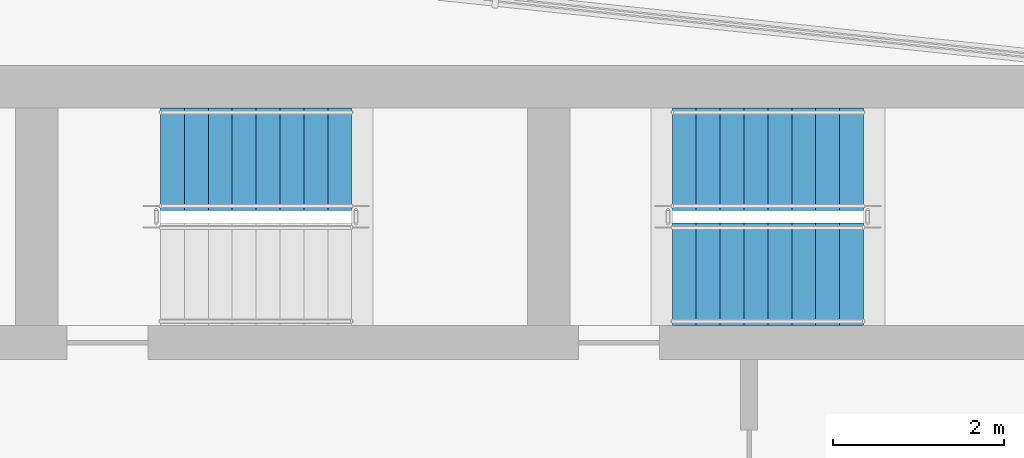
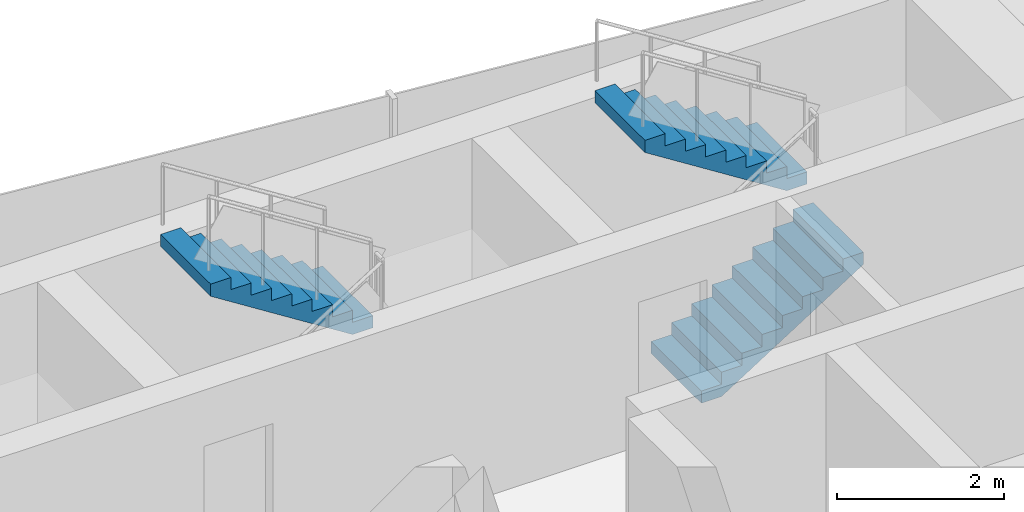
# One storey, part 13 of 17: 3 stair flights, 2 elements without a shape of their own.
"""IFC4 building model written with IfcOpenShell, lengths in metres."""

import ifcopenshell
import ifcopenshell.guid

model = None  # the IFC model being written
_history = None  # IfcOwnerHistory: only IFC2X3 demands one
_inside = {}  # id of a spatial element -> (the spatial element, [elements in it])
_under = {}  # id of a project, library or spatial element -> (it, [spatial elements below it])
_declared = {}  # id of a project -> (the project, [libraries it declares])
_typed = {}  # id of a type object -> (the type object, [elements of that type])
_made_of = {}  # id of a material, layer set ... -> (it, [elements and type objects made of it])


def new_model(schema):
    """Start an empty IFC model of exactly this schema.

    Asked for "IFC4X3", IfcOpenShell would pick the latest addendum, in which some entities
    have other attributes; the version numbers below select the first issue.
    IFC2X3 requires an IfcOwnerHistory on every rooted entity: one is made here for all.
    """
    global model, _history
    if schema == "IFC4X3":
        model = ifcopenshell.file(schema_version=(4, 3, 0, 0))
    else:
        model = ifcopenshell.file(schema=schema)
    _inside.clear()
    _under.clear()
    _declared.clear()
    _typed.clear()
    _made_of.clear()
    _history = None
    if model.schema == "IFC2X3":
        org = make("IfcOrganization", Name="unknown")
        user = make(
            "IfcPersonAndOrganization",
            ThePerson=make("IfcPerson", FamilyName="unknown"),
            TheOrganization=org,
        )
        app = make(
            "IfcApplication",
            ApplicationDeveloper=org,
            Version="unknown",
            ApplicationFullName="unknown",
            ApplicationIdentifier="unknown",
        )
        _history = make(
            "IfcOwnerHistory",
            OwningUser=user,
            OwningApplication=app,
            ChangeAction="ADDED",
            CreationDate=0,
        )
    return model


def make(cls, **values):
    """One entity of the class cls with the attributes given. An attribute that is None is left unset."""
    return model.create_entity(
        cls, **{name: value for name, value in values.items() if value is not None}
    )


def rooted(cls, **values):
    """An entity with a GlobalId (a new one), such as an element, a storey or a relation."""
    return make(cls, GlobalId=ifcopenshell.guid.new(), OwnerHistory=_history, **values)


def si_unit(unit_type, name, prefix=None):
    """IfcSIUnit, for example si_unit("LENGTHUNIT", "METRE", prefix="MILLI")."""
    return make("IfcSIUnit", UnitType=unit_type, Prefix=prefix, Name=name)


def assignment(units):
    """IfcUnitAssignment: the units of a project."""
    return None if units is None else make("IfcUnitAssignment", Units=units)


def point(xyz):
    """IfcCartesianPoint."""
    return None if xyz is None else make("IfcCartesianPoint", Coordinates=xyz)


def direction(xyz):
    """IfcDirection."""
    return None if xyz is None else make("IfcDirection", DirectionRatios=xyz)


def frame(location, z_axis=None, x_axis=None):
    """IfcAxis2Placement3D, a coordinate frame: its origin and axes. An axis left out is left unset."""
    return make(
        "IfcAxis2Placement3D",
        Location=point(location),
        Axis=direction(z_axis),
        RefDirection=direction(x_axis),
    )


def origin():
    """The frame at (0, 0, 0) with its axes left unset."""
    return frame((0.0, 0.0, 0.0))


def place(relative_to, where):
    """IfcLocalPlacement: puts the frame where relative to a parent placement (None: the world)."""
    return make(
        "IfcLocalPlacement", PlacementRelTo=relative_to, RelativePlacement=where
    )


def context(
    kind, dimensions, precision=None, world=None, true_north=None, identifier=None
):
    """IfcGeometricRepresentationContext, for example the 3D "Model" context."""
    return make(
        "IfcGeometricRepresentationContext",
        ContextIdentifier=identifier,
        ContextType=kind,
        CoordinateSpaceDimension=dimensions,
        Precision=precision,
        WorldCoordinateSystem=world,
        TrueNorth=true_north,
    )


def subcontext(parent, identifier, kind, view, scale=None):
    """IfcGeometricRepresentationSubContext, for example "Body" below "Model"."""
    return make(
        "IfcGeometricRepresentationSubContext",
        ContextIdentifier=identifier,
        ContextType=kind,
        ParentContext=parent,
        TargetScale=scale,
        TargetView=view,
    )


def project(units=None, contexts=None):
    """IfcProject with its units and contexts."""
    return rooted(
        "IfcProject",
        Name="project",
        RepresentationContexts=contexts,
        UnitsInContext=assignment(units),
    )


def spatial(cls, under=None, at=None, **own):
    """A site, building, storey or space (cls), placed at a placement, below another one or the project."""
    s = rooted(cls, ObjectPlacement=at, **own)
    if under is not None:
        _under.setdefault(under.id(), (under, []))[1].append(s)
    return s


def polyline(points):
    """IfcPolyline through the points."""
    return make("IfcPolyline", Points=[point(p) for p in points])


def outline(outer, holes=None, kind="AREA"):
    """IfcArbitraryClosedProfileDef: a profile drawn as a closed curve; with holes, ...WithVoids."""
    if holes is None:
        return make("IfcArbitraryClosedProfileDef", ProfileType=kind, OuterCurve=outer)
    return make(
        "IfcArbitraryProfileDefWithVoids",
        ProfileType=kind,
        OuterCurve=outer,
        InnerCurves=holes,
    )


def extrude(swept, where, along, depth):
    """IfcExtrudedAreaSolid: the profile swept, set in the frame where, extruded along a direction by depth."""
    return make(
        "IfcExtrudedAreaSolid",
        SweptArea=swept,
        Position=where,
        ExtrudedDirection=direction(along),
        Depth=depth,
    )


def shape(context_of_items, identifier, shape_type, items):
    """IfcShapeRepresentation: the items that make up one representation, for example the "Body"."""
    return make(
        "IfcShapeRepresentation",
        ContextOfItems=context_of_items,
        RepresentationIdentifier=identifier,
        RepresentationType=shape_type,
        Items=items,
    )


def material(Name=None, Category=None):
    """IfcMaterial."""
    return make("IfcMaterial", Name=Name, Category=Category)


def made_of(thing, what):
    """Note that an element or type object is made of a material, layer set ...; save() writes the relation."""
    if what is not None:
        _made_of.setdefault(what.id(), (what, []))[1].append(thing)
    return thing


def type_object(cls, material=None, **own):
    """A type object (cls), such as IfcWallType, which elements share."""
    return made_of(rooted(cls, **own), material)


def element(
    cls,
    number,
    at=None,
    inside=None,
    cuts=None,
    type_object=None,
    material=None,
    context=None,
    identifier="Body",
    shape_type=None,
    held_by="IfcProductDefinitionShape",
    body=None,
    shapes=None,
    **own,
):
    """One element of the class cls, such as IfcWall. Its Tag is "e" and its number.

    at: its placement. inside: the storey or other place that contains it. cuts: it is an
    opening in that element (IfcRelVoidsElement). A single representation is given by context,
    identifier, shape_type and body (its items); several are given by shapes. held_by: the class
    of the entity that holds the representations. save() writes the other relations.
    """
    e = rooted(cls, Tag="e%d" % number, ObjectPlacement=at, **own)
    if body is not None:
        shapes = [shape(context, identifier, shape_type, body)]
    if shapes is not None:
        e.Representation = make(held_by, Representations=shapes)
    if inside is not None:
        _inside.setdefault(inside.id(), (inside, []))[1].append(e)
    if cuts is not None:
        rooted(
            "IfcRelVoidsElement", RelatingBuildingElement=cuts, RelatedOpeningElement=e
        )
    if type_object is not None:
        _typed.setdefault(type_object.id(), (type_object, []))[1].append(e)
    return made_of(e, material)


def aggregate(whole, parts):
    """IfcRelAggregates: a whole, such as a stair, and the parts it consists of."""
    return rooted("IfcRelAggregates", RelatingObject=whole, RelatedObjects=parts)


def save(model, path):
    """Write the relations noted so far, then the file.

    IfcRelAggregates (storeys below a building ...), IfcRelContainedInSpatialStructure (elements
    in a storey), IfcRelDefinesByType, IfcRelAssociatesMaterial and IfcRelDeclares: one each for
    every whole, place, type object, material and project.
    """
    for whole, parts in _under.values():
        aggregate(whole, parts)
    for where, things in _inside.values():
        rooted(
            "IfcRelContainedInSpatialStructure",
            RelatedElements=things,
            RelatingStructure=where,
        )
    for kind, things in _typed.values():
        rooted("IfcRelDefinesByType", RelatedObjects=things, RelatingType=kind)
    for what, things in _made_of.values():
        rooted("IfcRelAssociatesMaterial", RelatedObjects=things, RelatingMaterial=what)
    for by, libraries in _declared.values():
        rooted("IfcRelDeclares", RelatingContext=by, RelatedDefinitions=libraries)
    model.write(path)


model = new_model("IFC4")

# Units and contexts
model_context = context("Model", 3, precision=1e-05, world=origin(), true_north=direction((0.0, 1.0)))
body_context = subcontext(model_context, "Body", "Model", "MODEL_VIEW")
ifc_project = project(units=[si_unit("LENGTHUNIT", "METRE"), si_unit("AREAUNIT", "SQUARE_METRE"), si_unit("VOLUMEUNIT", "CUBIC_METRE"), si_unit("PLANEANGLEUNIT", "RADIAN"), si_unit("MASSUNIT", "GRAM", prefix="KILO")], contexts=[model_context])

# Site, building, storey
site_placement = place(None, origin())
site = spatial("IfcSite", under=ifc_project, at=site_placement, CompositionType="ELEMENT")
building_placement = place(site_placement, origin())
building = spatial("IfcBuilding", under=site, at=building_placement, Name="Vidyagriha Tower", CompositionType="ELEMENT")
storey_placement = place(building_placement, frame((0.0, 0.0, 269.10009765625)))
storey = spatial("IfcBuildingStorey", under=building, at=storey_placement, Name="L70", CompositionType="ELEMENT", Elevation=269.10009765625)

# Stair, stair flight
ifc_material_1 = material(Name="Concrete C40/50", Category="concrete")
stair_type = type_object("IfcStairType", Name="Exit stair, half-turn, precast flights", PredefinedType="HALF_TURN_STAIR", material=ifc_material_1)
stair_1_placement = place(storey_placement, origin())
stair_1 = element("IfcStair", 1, at=stair_1_placement, inside=storey, type_object=stair_type, Name="L70 Exit Stair ST2", PredefinedType="HALF_TURN_STAIR")
ifc_material_2 = material(Name="Precast concrete C40/50", Category="concrete")
stair_flight_type = type_object("IfcStairFlightType", Name="Exit stair flight 1200 mm, precast", PredefinedType="STRAIGHT", material=ifc_material_2)
stair_flight_1_placement = place(storey_placement, frame((0.239990234375, 18.89990234375, 1.599853515625), z_axis=(0.0, 0.0, 1.0), x_axis=(-1.0, 0.0, 0.0)))
stair_flight_1 = element("IfcStairFlight", 2, at=stair_flight_1_placement, type_object=stair_flight_type, Name="ST2 flight 2", NumberOfRisers=9, NumberOfTreads=8, PredefinedType="STRAIGHT", RiserHeight=0.177777778, TreadLength=0.28, context=body_context, shape_type="SweptSolid", body=[
    extrude(outline(polyline([(0.0, 0.0), (0.0, 0.177734375), (0.280029296875, 0.177734375), (0.280029296875, 0.35546875), (0.56005859375, 0.35546875), (0.56005859375, 0.533447265625), (0.840087890625, 0.533447265625), (0.840087890625, 0.711181640625), (1.1201171875, 0.711181640625), (1.1201171875, 0.888916015625), (1.39990234375, 0.888916015625), (1.39990234375, 1.066650390625), (1.679931640625, 1.066650390625), (1.679931640625, 1.244384765625), (1.9599609375, 1.244384765625), (1.9599609375, 1.422119140625), (2.239990234375, 1.422119140625), (2.239990234375, 1.60009765625), (2.239990234375, 1.24462890625), (0.27978515625, 0.0), (0.0, 0.0)])), frame((0.0, 0.60009765625, 0.0), z_axis=(0.0, -1.0, 0.0), x_axis=(1.0, 0.0, 0.0)), (0.0, 0.0, 1.0), 1.199951171875),
])
aggregate(stair_1, [stair_flight_1])

# Stair, stair flights
stair_2_placement = place(storey_placement, origin())
stair_2 = element("IfcStair", 3, at=stair_2_placement, inside=storey, type_object=stair_type, Name="L70 Exit Stair ST3", PredefinedType="HALF_TURN_STAIR")
stair_flight_2_placement = place(storey_placement, frame((4.0, 17.550048828125, 0.0)))
stair_flight_2 = element("IfcStairFlight", 4, at=stair_flight_2_placement, type_object=stair_flight_type, Name="ST3 flight 1", NumberOfRisers=9, NumberOfTreads=8, PredefinedType="STRAIGHT", RiserHeight=0.177777778, TreadLength=0.28, context=body_context, shape_type="SweptSolid", body=[
    extrude(outline(polyline([(0.0, 0.0), (0.0, 0.177734375), (0.280029296875, 0.177734375), (0.280029296875, 0.35546875), (0.56005859375, 0.35546875), (0.56005859375, 0.533447265625), (0.840087890625, 0.533447265625), (0.840087890625, 0.711181640625), (1.1201171875, 0.711181640625), (1.1201171875, 0.888916015625), (1.39990234375, 0.888916015625), (1.39990234375, 1.066650390625), (1.679931640625, 1.066650390625), (1.679931640625, 1.244384765625), (1.9599609375, 1.244384765625), (1.9599609375, 1.422119140625), (2.239990234375, 1.422119140625), (2.239990234375, 1.60009765625), (2.239990234375, 1.24462890625), (0.27978515625, 0.0), (0.0, 0.0)])), frame((0.0, 0.60009765625, 0.0), z_axis=(0.0, -1.0, 0.0), x_axis=(1.0, 0.0, 0.0)), (0.0, 0.0, 1.0), 1.199951171875),
])
stair_flight_3_placement = place(storey_placement, frame((6.239990234375, 18.89990234375, 1.599853515625), z_axis=(0.0, 0.0, 1.0), x_axis=(-1.0, 0.0, 0.0)))
stair_flight_3 = element("IfcStairFlight", 5, at=stair_flight_3_placement, type_object=stair_flight_type, Name="ST3 flight 2", NumberOfRisers=9, NumberOfTreads=8, PredefinedType="STRAIGHT", RiserHeight=0.177777778, TreadLength=0.28, context=body_context, shape_type="SweptSolid", body=[
    extrude(outline(polyline([(0.0, 0.0), (0.0, 0.177734375), (0.280029296875, 0.177734375), (0.280029296875, 0.35546875), (0.56005859375, 0.35546875), (0.56005859375, 0.533447265625), (0.840087890625, 0.533447265625), (0.840087890625, 0.711181640625), (1.1201171875, 0.711181640625), (1.1201171875, 0.888916015625), (1.39990234375, 0.888916015625), (1.39990234375, 1.066650390625), (1.679931640625, 1.066650390625), (1.679931640625, 1.244384765625), (1.9599609375, 1.244384765625), (1.9599609375, 1.422119140625), (2.239990234375, 1.422119140625), (2.239990234375, 1.60009765625), (2.239990234375, 1.24462890625), (0.27978515625, 0.0), (0.0, 0.0)])), frame((0.0, 0.60009765625, 0.0), z_axis=(0.0, -1.0, 0.0), x_axis=(1.0, 0.0, 0.0)), (0.0, 0.0, 1.0), 1.199951171875),
])
aggregate(stair_2, [stair_flight_2, stair_flight_3])

save(model, "model.ifc")
